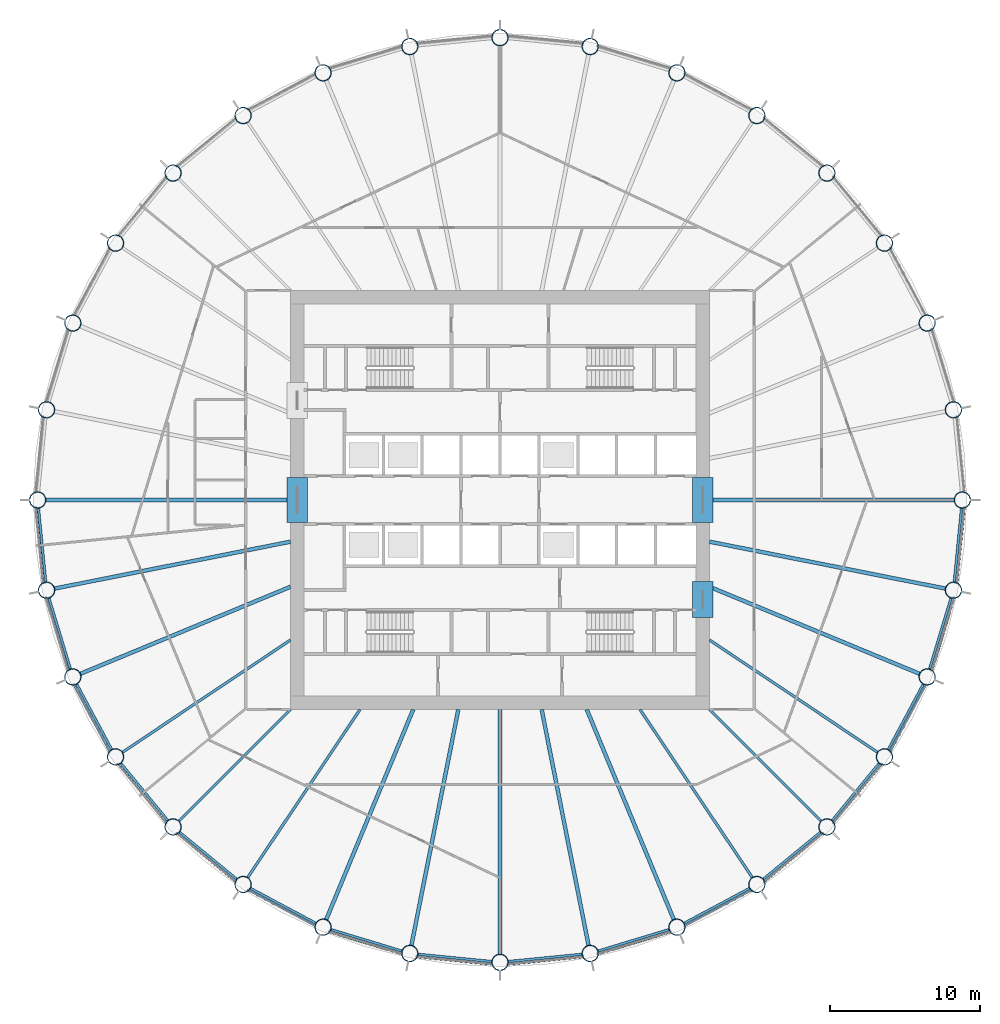
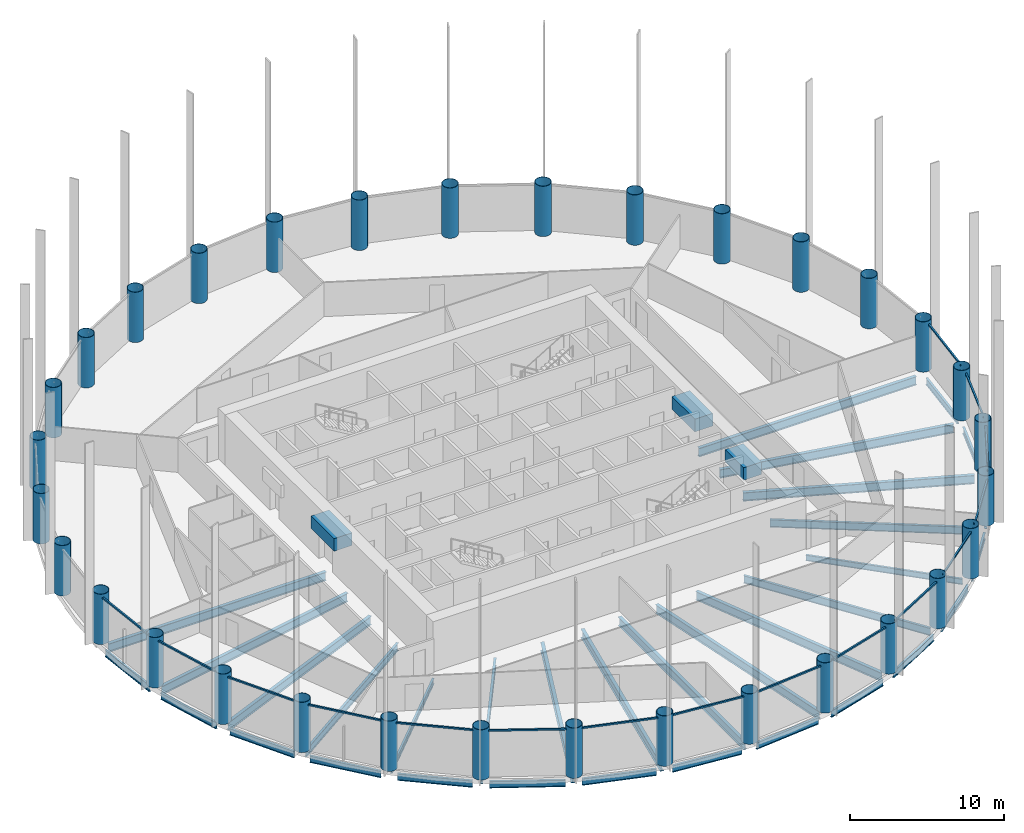
# One storey, part 1 of 10: 36 beams, 32 columns, 16 members, 16 elements without a shape of their own.
"""IFC4 building model written with IfcOpenShell, lengths in metres."""

import ifcopenshell
import ifcopenshell.guid

model = None  # the IFC model being written
_history = None  # IfcOwnerHistory: only IFC2X3 demands one
_inside = {}  # id of a spatial element -> (the spatial element, [elements in it])
_under = {}  # id of a project, library or spatial element -> (it, [spatial elements below it])
_declared = {}  # id of a project -> (the project, [libraries it declares])
_typed = {}  # id of a type object -> (the type object, [elements of that type])
_made_of = {}  # id of a material, layer set ... -> (it, [elements and type objects made of it])


def new_model(schema):
    """Start an empty IFC model of exactly this schema.

    Asked for "IFC4X3", IfcOpenShell would pick the latest addendum, in which some entities
    have other attributes; the version numbers below select the first issue.
    IFC2X3 requires an IfcOwnerHistory on every rooted entity: one is made here for all.
    """
    global model, _history
    if schema == "IFC4X3":
        model = ifcopenshell.file(schema_version=(4, 3, 0, 0))
    else:
        model = ifcopenshell.file(schema=schema)
    _inside.clear()
    _under.clear()
    _declared.clear()
    _typed.clear()
    _made_of.clear()
    _history = None
    if model.schema == "IFC2X3":
        org = make("IfcOrganization", Name="unknown")
        user = make(
            "IfcPersonAndOrganization",
            ThePerson=make("IfcPerson", FamilyName="unknown"),
            TheOrganization=org,
        )
        app = make(
            "IfcApplication",
            ApplicationDeveloper=org,
            Version="unknown",
            ApplicationFullName="unknown",
            ApplicationIdentifier="unknown",
        )
        _history = make(
            "IfcOwnerHistory",
            OwningUser=user,
            OwningApplication=app,
            ChangeAction="ADDED",
            CreationDate=0,
        )
    return model


def make(cls, **values):
    """One entity of the class cls with the attributes given. An attribute that is None is left unset."""
    return model.create_entity(
        cls, **{name: value for name, value in values.items() if value is not None}
    )


def rooted(cls, **values):
    """An entity with a GlobalId (a new one), such as an element, a storey or a relation."""
    return make(cls, GlobalId=ifcopenshell.guid.new(), OwnerHistory=_history, **values)


def si_unit(unit_type, name, prefix=None):
    """IfcSIUnit, for example si_unit("LENGTHUNIT", "METRE", prefix="MILLI")."""
    return make("IfcSIUnit", UnitType=unit_type, Prefix=prefix, Name=name)


def assignment(units):
    """IfcUnitAssignment: the units of a project."""
    return None if units is None else make("IfcUnitAssignment", Units=units)


def point(xyz):
    """IfcCartesianPoint."""
    return None if xyz is None else make("IfcCartesianPoint", Coordinates=xyz)


def direction(xyz):
    """IfcDirection."""
    return None if xyz is None else make("IfcDirection", DirectionRatios=xyz)


def frame(location, z_axis=None, x_axis=None):
    """IfcAxis2Placement3D, a coordinate frame: its origin and axes. An axis left out is left unset."""
    return make(
        "IfcAxis2Placement3D",
        Location=point(location),
        Axis=direction(z_axis),
        RefDirection=direction(x_axis),
    )


def frame_2d(location, x_axis=None):
    """IfcAxis2Placement2D, a coordinate frame in the plane: its origin and x axis."""
    return make(
        "IfcAxis2Placement2D", Location=point(location), RefDirection=direction(x_axis)
    )


def origin():
    """The frame at (0, 0, 0) with its axes left unset."""
    return frame((0.0, 0.0, 0.0))


def origin_2d():
    """The frame at (0, 0) in the plane with its x axis left unset."""
    return frame_2d((0.0, 0.0))


def place(relative_to, where):
    """IfcLocalPlacement: puts the frame where relative to a parent placement (None: the world)."""
    return make(
        "IfcLocalPlacement", PlacementRelTo=relative_to, RelativePlacement=where
    )


def context(
    kind, dimensions, precision=None, world=None, true_north=None, identifier=None
):
    """IfcGeometricRepresentationContext, for example the 3D "Model" context."""
    return make(
        "IfcGeometricRepresentationContext",
        ContextIdentifier=identifier,
        ContextType=kind,
        CoordinateSpaceDimension=dimensions,
        Precision=precision,
        WorldCoordinateSystem=world,
        TrueNorth=true_north,
    )


def subcontext(parent, identifier, kind, view, scale=None):
    """IfcGeometricRepresentationSubContext, for example "Body" below "Model"."""
    return make(
        "IfcGeometricRepresentationSubContext",
        ContextIdentifier=identifier,
        ContextType=kind,
        ParentContext=parent,
        TargetScale=scale,
        TargetView=view,
    )


def project(units=None, contexts=None):
    """IfcProject with its units and contexts."""
    return rooted(
        "IfcProject",
        Name="project",
        RepresentationContexts=contexts,
        UnitsInContext=assignment(units),
    )


def spatial(cls, under=None, at=None, **own):
    """A site, building, storey or space (cls), placed at a placement, below another one or the project."""
    s = rooted(cls, ObjectPlacement=at, **own)
    if under is not None:
        _under.setdefault(under.id(), (under, []))[1].append(s)
    return s


def profile(cls, at=None, kind="AREA", **sizes):
    """A parametric profile (cls). Its sizes go by their IFC names, for example OverallWidth=200.0."""
    return make(cls, ProfileType=kind, Position=at, **sizes)


def rectangle(**sizes):
    """IfcRectangleProfileDef."""
    return profile("IfcRectangleProfileDef", **sizes)


def hollow_circle(**sizes):
    """IfcCircleHollowProfileDef."""
    return profile("IfcCircleHollowProfileDef", **sizes)


def i_section(**sizes):
    """IfcIShapeProfileDef."""
    return profile("IfcIShapeProfileDef", **sizes)


def extrude(swept, where, along, depth):
    """IfcExtrudedAreaSolid: the profile swept, set in the frame where, extruded along a direction by depth."""
    return make(
        "IfcExtrudedAreaSolid",
        SweptArea=swept,
        Position=where,
        ExtrudedDirection=direction(along),
        Depth=depth,
    )


def shape(context_of_items, identifier, shape_type, items):
    """IfcShapeRepresentation: the items that make up one representation, for example the "Body"."""
    return make(
        "IfcShapeRepresentation",
        ContextOfItems=context_of_items,
        RepresentationIdentifier=identifier,
        RepresentationType=shape_type,
        Items=items,
    )


def material(Name=None, Category=None):
    """IfcMaterial."""
    return make("IfcMaterial", Name=Name, Category=Category)


def material_profile(
    of_material, cross_section, Name=None, Category=None, Priority=None
):
    """IfcMaterialProfile: a cross section and its material."""
    return make(
        "IfcMaterialProfile",
        Name=Name,
        Material=of_material,
        Profile=cross_section,
        Priority=Priority,
        Category=Category,
    )


def profile_set(profiles, Name=None, composite=None):
    """IfcMaterialProfileSet."""
    return make(
        "IfcMaterialProfileSet",
        Name=Name,
        MaterialProfiles=profiles,
        CompositeProfile=composite,
    )


def made_of(thing, what):
    """Note that an element or type object is made of a material, layer set ...; save() writes the relation."""
    if what is not None:
        _made_of.setdefault(what.id(), (what, []))[1].append(thing)
    return thing


def type_object(cls, material=None, **own):
    """A type object (cls), such as IfcWallType, which elements share."""
    return made_of(rooted(cls, **own), material)


def element(
    cls,
    number,
    at=None,
    inside=None,
    cuts=None,
    type_object=None,
    material=None,
    context=None,
    identifier="Body",
    shape_type=None,
    held_by="IfcProductDefinitionShape",
    body=None,
    shapes=None,
    **own,
):
    """One element of the class cls, such as IfcWall. Its Tag is "e" and its number.

    at: its placement. inside: the storey or other place that contains it. cuts: it is an
    opening in that element (IfcRelVoidsElement). A single representation is given by context,
    identifier, shape_type and body (its items); several are given by shapes. held_by: the class
    of the entity that holds the representations. save() writes the other relations.
    """
    e = rooted(cls, Tag="e%d" % number, ObjectPlacement=at, **own)
    if body is not None:
        shapes = [shape(context, identifier, shape_type, body)]
    if shapes is not None:
        e.Representation = make(held_by, Representations=shapes)
    if inside is not None:
        _inside.setdefault(inside.id(), (inside, []))[1].append(e)
    if cuts is not None:
        rooted(
            "IfcRelVoidsElement", RelatingBuildingElement=cuts, RelatedOpeningElement=e
        )
    if type_object is not None:
        _typed.setdefault(type_object.id(), (type_object, []))[1].append(e)
    return made_of(e, material)


def aggregate(whole, parts):
    """IfcRelAggregates: a whole, such as a stair, and the parts it consists of."""
    return rooted("IfcRelAggregates", RelatingObject=whole, RelatedObjects=parts)


def save(model, path):
    """Write the relations noted so far, then the file.

    IfcRelAggregates (storeys below a building ...), IfcRelContainedInSpatialStructure (elements
    in a storey), IfcRelDefinesByType, IfcRelAssociatesMaterial and IfcRelDeclares: one each for
    every whole, place, type object, material and project.
    """
    for whole, parts in _under.values():
        aggregate(whole, parts)
    for where, things in _inside.values():
        rooted(
            "IfcRelContainedInSpatialStructure",
            RelatedElements=things,
            RelatingStructure=where,
        )
    for kind, things in _typed.values():
        rooted("IfcRelDefinesByType", RelatedObjects=things, RelatingType=kind)
    for what, things in _made_of.values():
        rooted("IfcRelAssociatesMaterial", RelatedObjects=things, RelatingMaterial=what)
    for by, libraries in _declared.values():
        rooted("IfcRelDeclares", RelatingContext=by, RelatedDefinitions=libraries)
    model.write(path)


model = new_model("IFC4")

# Units and contexts
model_context = context("Model", 3, precision=1e-05, world=origin(), true_north=direction((0.0, 1.0)))
body_context = subcontext(model_context, "Body", "Model", "MODEL_VIEW")
ifc_project = project(units=[si_unit("LENGTHUNIT", "METRE"), si_unit("AREAUNIT", "SQUARE_METRE"), si_unit("VOLUMEUNIT", "CUBIC_METRE"), si_unit("PLANEANGLEUNIT", "RADIAN"), si_unit("MASSUNIT", "GRAM", prefix="KILO")], contexts=[model_context])

# Site, building, storey
site_placement = place(None, origin())
site = spatial("IfcSite", under=ifc_project, at=site_placement, CompositionType="ELEMENT")
building_placement = place(site_placement, origin())
building = spatial("IfcBuilding", under=site, at=building_placement, Name="Corvane Civic Tower", CompositionType="ELEMENT")
storey_placement = place(building_placement, frame((0.0, 0.0, 144.0)))
storey = spatial("IfcBuildingStorey", under=building, at=storey_placement, Name="L33", CompositionType="ELEMENT", Elevation=144.0)

# Columns
ifc_material_1 = material(Name="Steel ASTM A572 Gr 50", Category="steel")
ifc_material_profile_1 = material_profile(ifc_material_1, hollow_circle(Radius=0.550048828125, WallThickness=0.031982421875, at=origin_2d()), Name="CHS1100X32")
ifc_profile_set_1 = profile_set([ifc_material_profile_1], Name="Steel ASTM A572 Gr 50")
column_type = type_object("IfcColumnType", Name="COMPOSITE COLUMN CHS1100X32", PredefinedType="COLUMN", material=ifc_profile_set_1)
for number, where, z_axis, x_axis, name in (
    (1, (0.0, 30.89990234375, 0.0), (0.0, 0.0, 1.0), (1.0, 0.0, 0.0), "COL-L33-C01"),
    (2, (6.0283203125, 30.30615234375, 0.0), (0.0, 0.0, 1.0), (1.0, 0.0, 0.0), "COL-L33-C02"),
    (3, (11.824951171875, 28.5478515625, 0.0), (0.0, 0.0, 1.0), (1.0, 0.0, 0.0), "COL-L33-C03"),
    (4, (17.167236328125, 25.6923828125, 0.0), (0.0, 0.0, 1.0), (1.0, 0.0, 0.0), "COL-L33-C04"),
    (5, (21.849609375, 21.849609375, 0.0), (0.0, 0.0, 1.0), (1.0, 0.0, 0.0), "COL-L33-C05"),
    (6, (25.6923828125, 17.167236328125, 0.0), (0.0, 0.0, 1.0), (1.0, 0.0, 0.0), "COL-L33-C06"),
    (7, (28.5478515625, 11.824951171875, 0.0), (0.0, 0.0, 1.0), (1.0, 0.0, 0.0), "COL-L33-C07"),
    (8, (30.30615234375, 6.0283203125, 0.0), (0.0, 0.0, 1.0), (1.0, 0.0, 0.0), "COL-L33-C08"),
    (9, (30.89990234375, 0.0, 0.0), (0.0, 0.0, 1.0), (1.0, 0.0, 0.0), "COL-L33-C09"),
    (10, (30.30615234375, -6.0283203125, 0.0), (0.0, 0.0, 1.0), (1.0, 0.0, 0.0), "COL-L33-C10"),
    (11, (28.5478515625, -11.824951171875, 0.0), (0.0, 0.0, 1.0), (1.0, 0.0, 0.0), "COL-L33-C11"),
    (12, (25.6923828125, -17.167236328125, 0.0), (0.0, 0.0, 1.0), (1.0, 0.0, 0.0), "COL-L33-C12"),
    (13, (21.849609375, -21.849609375, 0.0), (0.0, 0.0, 1.0), (1.0, 0.0, 0.0), "COL-L33-C13"),
    (14, (17.167236328125, -25.6923828125, 0.0), (0.0, 0.0, 1.0), (1.0, 0.0, 0.0), "COL-L33-C14"),
    (15, (11.824951171875, -28.5478515625, 0.0), (0.0, 0.0, 1.0), (1.0, 0.0, 0.0), "COL-L33-C15"),
    (16, (6.0283203125, -30.30615234375, 0.0), (0.0, 0.0, 1.0), (1.0, 0.0, 0.0), "COL-L33-C16"),
    (17, (0.0, -30.89990234375, 0.0), (0.0, 0.0, 1.0), (1.0, 0.0, 0.0), "COL-L33-C17"),
    (18, (-6.0283203125, -30.30615234375, 0.0), (0.0, 0.0, 1.0), (1.0, 0.0, 0.0), "COL-L33-C18"),
    (19, (-11.824951171875, -28.5478515625, 0.0), (0.0, 0.0, 1.0), (1.0, 0.0, 0.0), "COL-L33-C19"),
    (20, (-17.167236328125, -25.6923828125, 0.0), (0.0, 0.0, 1.0), (1.0, 0.0, 0.0), "COL-L33-C20"),
    (21, (-21.849609375, -21.849609375, 0.0), (0.0, 0.0, 1.0), (1.0, 0.0, 0.0), "COL-L33-C21"),
    (22, (-25.6923828125, -17.167236328125, 0.0), (0.0, 0.0, 1.0), (1.0, 0.0, 0.0), "COL-L33-C22"),
    (23, (-28.5478515625, -11.824951171875, 0.0), (0.0, 0.0, 1.0), (1.0, 0.0, 0.0), "COL-L33-C23"),
    (24, (-30.30615234375, -6.0283203125, 0.0), (0.0, 0.0, 1.0), (1.0, 0.0, 0.0), "COL-L33-C24"),
    (25, (-30.89990234375, 0.0, 0.0), (0.0, 0.0, 1.0), (1.0, 0.0, 0.0), "COL-L33-C25"),
    (26, (-30.30615234375, 6.0283203125, 0.0), (0.0, 0.0, 1.0), (1.0, 0.0, 0.0), "COL-L33-C26"),
    (27, (-28.5478515625, 11.824951171875, 0.0), (0.0, 0.0, 1.0), (1.0, 0.0, 0.0), "COL-L33-C27"),
    (28, (-25.6923828125, 17.167236328125, 0.0), (0.0, 0.0, 1.0), (1.0, 0.0, 0.0), "COL-L33-C28"),
    (29, (-21.849609375, 21.849609375, 0.0), (0.0, 0.0, 1.0), (1.0, 0.0, 0.0), "COL-L33-C29"),
    (30, (-17.167236328125, 25.6923828125, 0.0), (0.0, 0.0, 1.0), (1.0, 0.0, 0.0), "COL-L33-C30"),
    (31, (-11.824951171875, 28.5478515625, 0.0), (0.0, 0.0, 1.0), (1.0, 0.0, 0.0), "COL-L33-C31"),
    (32, (-6.0283203125, 30.30615234375, 0.0), (0.0, 0.0, 1.0), (1.0, 0.0, 0.0), "COL-L33-C32"),
):
    element("IfcColumn", number, at=place(storey_placement, frame(where, z_axis=z_axis, x_axis=x_axis)), inside=storey, type_object=column_type, Name=name, PredefinedType="COLUMN", context=body_context, shape_type="SweptSolid", body=[
        extrude(hollow_circle(Radius=0.550048828125, WallThickness=0.031982421875, at=origin_2d()), origin(), (0.0, 0.0, 1.0), 4.0),
    ])

# Beams
ifc_material_2 = material(Name="Concrete C60/75", Category="concrete")
ifc_material_profile_2 = material_profile(ifc_material_2, rectangle(XDim=1.35009765625, YDim=1.0, at=origin_2d()), Name="COUPLING BEAM 1350X1000")
ifc_profile_set_2 = profile_set([ifc_material_profile_2], Name="Concrete C60/75")
beam_type_1 = type_object("IfcBeamType", Name="COUPLING BEAM COUPLING BEAM 1350X1000", PredefinedType="BEAM", material=ifc_profile_set_2)
for number, where, z_axis, x_axis, name in (
    (33, (-13.550048828125, -1.5, 2.60009765625), (0.0, 1.0, 0.0), (-1.0, 0.0, 0.0), "BM-L33-cpl-CW-LW"),
    (34, (13.550048828125, -1.5, 2.60009765625), (0.0, 1.0, 0.0), (-1.0, 0.0, 0.0), "BM-L33-cpl-CW-LE"),
):
    element("IfcBeam", number, at=place(storey_placement, frame(where, z_axis=z_axis, x_axis=x_axis)), inside=storey, type_object=beam_type_1, Name=name, PredefinedType="BEAM", context=body_context, shape_type="SweptSolid", body=[
        extrude(rectangle(XDim=1.35009765625, YDim=1.0, at=origin_2d()), origin(), (0.0, 0.0, 1.0), 3.0),
    ])
beam_1_placement = place(storey_placement, frame((13.550048828125, -7.85009765625, 2.60009765625), z_axis=(0.0, 1.0, 0.0), x_axis=(-1.0, 0.0, 0.0)))
element("IfcBeam", 35, at=beam_1_placement, inside=storey, type_object=beam_type_1, Name="BM-L33-cpl-CW-ES", PredefinedType="BEAM", context=body_context, shape_type="SweptSolid", body=[
    extrude(rectangle(XDim=1.35009765625, YDim=1.0, at=origin_2d()), origin(), (0.0, 0.0, 1.0), 2.400146484375),
])
ifc_material_3 = material(Name="Steel ASTM A992 Gr 50", Category="steel")
ifc_material_profile_3 = material_profile(ifc_material_3, i_section(OverallWidth=0.165771484375, OverallDepth=0.5283203125, WebThickness=0.009765625, FlangeThickness=0.013671875, at=origin_2d()), Name="W21X50")
ifc_profile_set_3 = profile_set([ifc_material_profile_3], Name="Steel ASTM A992 Gr 50")
beam_type_2 = type_object("IfcBeamType", Name="EDGE BEAM W21X50", PredefinedType="BEAM", material=ifc_profile_set_3)
beam_2_placement = place(storey_placement, frame((30.845947265625, -0.54736328125, -0.714111328125), z_axis=(-0.09800181167, -0.995186236294, 0.0), x_axis=(0.995186236294, -0.09800181167, 0.0)))
element("IfcBeam", 36, at=beam_2_placement, inside=storey, type_object=beam_type_2, Name="BM-L33-E09", PredefinedType="BEAM", context=body_context, shape_type="SweptSolid", body=[
    extrude(i_section(OverallWidth=0.165771484375, OverallDepth=0.5283203125, WebThickness=0.009765625, FlangeThickness=0.013671875, at=origin_2d()), origin(), (0.0, 0.0, 1.0), 4.95751953125),
])
beam_3_placement = place(storey_placement, frame((30.146484375, -6.5546875, -0.714111328125), z_axis=(-0.290269821381, -0.956944842086, 0.0), x_axis=(0.956944842086, -0.290269821381, 0.0)))
element("IfcBeam", 37, at=beam_3_placement, inside=storey, type_object=beam_type_2, Name="BM-L33-E10", PredefinedType="BEAM", context=body_context, shape_type="SweptSolid", body=[
    extrude(i_section(OverallWidth=0.165771484375, OverallDepth=0.5283203125, WebThickness=0.009765625, FlangeThickness=0.013671875, at=origin_2d()), origin(), (0.0, 0.0, 1.0), 4.957275390625),
])
for number, where, z_axis, x_axis, name in (
    (38, (28.28857421875, -12.31005859375, -0.714111328125), (-0.471395763042, -0.881921784846, 0.0), (0.881921784846, -0.471395763042, 0.0), "BM-L33-E11"),
    (39, (25.343505859375, -17.59228515625, -0.714111328125), (-0.634387546532, -0.77301516208, 0.0), (0.77301516208, -0.634387546532, 0.0), "BM-L33-E12"),
    (40, (21.424560546875, -22.198486328125, -0.714111328125), (-0.77301516208, -0.634387546532, 0.0), (0.634387546532, -0.77301516208, 0.0), "BM-L33-E13"),
    (41, (16.68212890625, -25.95166015625, -0.714111328125), (-0.881921784846, -0.471395763042, 0.0), (0.471395763042, -0.881921784846, 0.0), "BM-L33-E14"),
):
    element("IfcBeam", number, at=place(storey_placement, frame(where, z_axis=z_axis, x_axis=x_axis)), inside=storey, type_object=beam_type_2, Name=name, PredefinedType="BEAM", context=body_context, shape_type="SweptSolid", body=[
        extrude(i_section(OverallWidth=0.165771484375, OverallDepth=0.5283203125, WebThickness=0.009765625, FlangeThickness=0.013671875, at=origin_2d()), origin(), (0.0, 0.0, 1.0), 4.95751953125),
    ])
beam_4_placement = place(storey_placement, frame((11.298583984375, -28.70751953125, -0.714111328125), z_axis=(-0.956944842086, -0.290269821381, 0.0), x_axis=(0.290269821381, -0.956944842086, 0.0)))
element("IfcBeam", 42, at=beam_4_placement, inside=storey, type_object=beam_type_2, Name="BM-L33-E15", PredefinedType="BEAM", context=body_context, shape_type="SweptSolid", body=[
    extrude(i_section(OverallWidth=0.165771484375, OverallDepth=0.5283203125, WebThickness=0.009765625, FlangeThickness=0.013671875, at=origin_2d()), origin(), (0.0, 0.0, 1.0), 4.957275390625),
])
for number, where, z_axis, x_axis, name in (
    (43, (5.48095703125, -30.360107421875, -0.714111328125), (-0.995186236294, -0.09800181167, 0.0), (0.09800181167, -0.995186236294, 0.0), "BM-L33-E16"),
    (44, (-0.54736328125, -30.845947265625, -0.714111328125), (-0.995186236294, 0.09800181167, 0.0), (-0.09800181167, -0.995186236294, 0.0), "BM-L33-E17"),
):
    element("IfcBeam", number, at=place(storey_placement, frame(where, z_axis=z_axis, x_axis=x_axis)), inside=storey, type_object=beam_type_2, Name=name, PredefinedType="BEAM", context=body_context, shape_type="SweptSolid", body=[
        extrude(i_section(OverallWidth=0.165771484375, OverallDepth=0.5283203125, WebThickness=0.009765625, FlangeThickness=0.013671875, at=origin_2d()), origin(), (0.0, 0.0, 1.0), 4.95751953125),
    ])
beam_5_placement = place(storey_placement, frame((-6.5546875, -30.146484375, -0.714111328125), z_axis=(-0.956944842086, 0.290269821381, 0.0), x_axis=(-0.290269821381, -0.956944842086, 0.0)))
element("IfcBeam", 45, at=beam_5_placement, inside=storey, type_object=beam_type_2, Name="BM-L33-E18", PredefinedType="BEAM", context=body_context, shape_type="SweptSolid", body=[
    extrude(i_section(OverallWidth=0.165771484375, OverallDepth=0.5283203125, WebThickness=0.009765625, FlangeThickness=0.013671875, at=origin_2d()), origin(), (0.0, 0.0, 1.0), 4.957275390625),
])
for number, where, z_axis, x_axis, name in (
    (46, (-12.31005859375, -28.28857421875, -0.714111328125), (-0.881921784846, 0.471395763042, 0.0), (-0.471395763042, -0.881921784846, 0.0), "BM-L33-E19"),
    (47, (-17.59228515625, -25.343505859375, -0.714111328125), (-0.77301516208, 0.634387546532, 0.0), (-0.634387546532, -0.77301516208, 0.0), "BM-L33-E20"),
    (48, (-22.198486328125, -21.424560546875, -0.714111328125), (-0.634387546532, 0.77301516208, 0.0), (-0.77301516208, -0.634387546532, 0.0), "BM-L33-E21"),
    (49, (-25.95166015625, -16.68212890625, -0.714111328125), (-0.471395763042, 0.881921784846, 0.0), (-0.881921784846, -0.471395763042, 0.0), "BM-L33-E22"),
):
    element("IfcBeam", number, at=place(storey_placement, frame(where, z_axis=z_axis, x_axis=x_axis)), inside=storey, type_object=beam_type_2, Name=name, PredefinedType="BEAM", context=body_context, shape_type="SweptSolid", body=[
        extrude(i_section(OverallWidth=0.165771484375, OverallDepth=0.5283203125, WebThickness=0.009765625, FlangeThickness=0.013671875, at=origin_2d()), origin(), (0.0, 0.0, 1.0), 4.95751953125),
    ])
beam_6_placement = place(storey_placement, frame((-28.70751953125, -11.298583984375, -0.714111328125), z_axis=(-0.290269821381, 0.956944842086, 0.0), x_axis=(-0.956944842086, -0.290269821381, 0.0)))
element("IfcBeam", 50, at=beam_6_placement, inside=storey, type_object=beam_type_2, Name="BM-L33-E23", PredefinedType="BEAM", context=body_context, shape_type="SweptSolid", body=[
    extrude(i_section(OverallWidth=0.165771484375, OverallDepth=0.5283203125, WebThickness=0.009765625, FlangeThickness=0.013671875, at=origin_2d()), origin(), (0.0, 0.0, 1.0), 4.957275390625),
])
beam_7_placement = place(storey_placement, frame((-30.360107421875, -5.48095703125, -0.714111328125), z_axis=(-0.09800181167, 0.995186236294, 0.0), x_axis=(-0.995186236294, -0.09800181167, 0.0)))
element("IfcBeam", 51, at=beam_7_placement, inside=storey, type_object=beam_type_2, Name="BM-L33-E24", PredefinedType="BEAM", context=body_context, shape_type="SweptSolid", body=[
    extrude(i_section(OverallWidth=0.165771484375, OverallDepth=0.5283203125, WebThickness=0.009765625, FlangeThickness=0.013671875, at=origin_2d()), origin(), (0.0, 0.0, 1.0), 4.95751953125),
])
ifc_material_4 = material(Name="Steel ASTM A992 Gr 50", Category="steel")
ifc_material_profile_4 = material_profile(ifc_material_4, i_section(OverallWidth=0.15283203125, OverallDepth=0.45458984375, WebThickness=0.008056640625, FlangeThickness=0.013427734375, at=origin_2d()), Name="W18X40")
ifc_profile_set_4 = profile_set([ifc_material_profile_4], Name="Steel ASTM A992 Gr 50")
beam_type_3 = type_object("IfcBeamType", Name="FLOOR GIRDER W18X40", PredefinedType="BEAM", material=ifc_profile_set_4)
for number, where, z_axis, x_axis, name in (
    (52, (14.0, -14.0, -0.67724609375), (0.707106781187, -0.707106781187, 0.0), (0.707106781187, 0.707106781187, 0.0), "BM-L33-G13"),
    (53, (-14.0, -14.0, -0.67724609375), (-0.707106781187, -0.707106781187, 0.0), (0.707106781187, -0.707106781187, 0.0), "BM-L33-G21"),
):
    element("IfcBeam", number, at=place(storey_placement, frame(where, z_axis=z_axis, x_axis=x_axis)), inside=storey, type_object=beam_type_3, Name=name, PredefinedType="BEAM", context=body_context, shape_type="SweptSolid", body=[
        extrude(i_section(OverallWidth=0.15283203125, OverallDepth=0.45458984375, WebThickness=0.008056640625, FlangeThickness=0.013427734375, at=origin_2d()), origin(), (0.0, 0.0, 1.0), 10.551025390625),
    ])
ifc_material_5 = material(Name="Steel ASTM A992 Gr 50", Category="steel")
ifc_material_profile_5 = material_profile(ifc_material_5, i_section(OverallWidth=0.177978515625, OverallDepth=0.599365234375, WebThickness=0.010009765625, FlangeThickness=0.012939453125, at=origin_2d()), Name="W24X55")
ifc_profile_set_5 = profile_set([ifc_material_profile_5], Name="Steel ASTM A992 Gr 50")
beam_type_4 = type_object("IfcBeamType", Name="FLOOR GIRDER W24X55", PredefinedType="BEAM", material=ifc_profile_set_5)
for number, where, z_axis, x_axis, name in (
    (54, (14.0, -9.3544921875, -0.749755859375), (0.83146888399, -0.555571323015, 0.0), (0.555571323015, 0.83146888399, 0.0), "BM-L33-G12"),
    (55, (9.3544921875, -14.0, -0.749755859375), (0.555571323015, -0.83146888399, 0.0), (0.83146888399, 0.555571323015, 0.0), "BM-L33-G14"),
    (56, (-9.3544921875, -14.0, -0.749755859375), (-0.555571323015, -0.83146888399, 0.0), (0.83146888399, -0.555571323015, 0.0), "BM-L33-G20"),
    (57, (-14.0, -9.3544921875, -0.749755859375), (-0.83146888399, -0.555571323015, 0.0), (0.555571323015, -0.83146888399, 0.0), "BM-L33-G22"),
):
    element("IfcBeam", number, at=place(storey_placement, frame(where, z_axis=z_axis, x_axis=x_axis)), inside=storey, type_object=beam_type_4, Name=name, PredefinedType="BEAM", context=body_context, shape_type="SweptSolid", body=[
        extrude(i_section(OverallWidth=0.177978515625, OverallDepth=0.599365234375, WebThickness=0.010009765625, FlangeThickness=0.012939453125, at=origin_2d()), origin(), (0.0, 0.0, 1.0), 13.512451171875),
    ])
ifc_material_6 = material(Name="Steel ASTM A992 Gr 50", Category="steel")
ifc_material_profile_6 = material_profile(ifc_material_6, i_section(OverallWidth=0.25390625, OverallDepth=0.67822265625, WebThickness=0.01171875, FlangeThickness=0.016357421875, at=origin_2d()), Name="W27X84")
ifc_profile_set_6 = profile_set([ifc_material_profile_6], Name="Steel ASTM A992 Gr 50")
beam_type_5 = type_object("IfcBeamType", Name="FLOOR GIRDER W27X84", PredefinedType="BEAM", material=ifc_profile_set_6)
beam_8_placement = place(storey_placement, frame((14.0, 0.0, -0.7890625), z_axis=(1.0, 0.0, 0.0), x_axis=(0.0, 1.0, 0.0)))
element("IfcBeam", 58, at=beam_8_placement, inside=storey, type_object=beam_type_5, Name="BM-L33-G09", PredefinedType="BEAM", context=body_context, shape_type="SweptSolid", body=[
    extrude(i_section(OverallWidth=0.25390625, OverallDepth=0.67822265625, WebThickness=0.01171875, FlangeThickness=0.016357421875, at=origin_2d()), origin(), (0.0, 0.0, 1.0), 16.35009765625),
])
beam_9_placement = place(storey_placement, frame((14.0, -2.78466796875, -0.7890625), z_axis=(0.980785162999, -0.195090912248, 0.0), x_axis=(0.195090912248, 0.980785162999, 0.0)))
element("IfcBeam", 59, at=beam_9_placement, inside=storey, type_object=beam_type_5, Name="BM-L33-G10", PredefinedType="BEAM", context=body_context, shape_type="SweptSolid", body=[
    extrude(i_section(OverallWidth=0.25390625, OverallDepth=0.67822265625, WebThickness=0.01171875, FlangeThickness=0.016357421875, at=origin_2d()), origin(), (0.0, 0.0, 1.0), 16.07568359375),
])
for number, where, z_axis, x_axis, name in (
    (60, (14.0, -5.799072265625, -0.7890625), (0.923880551114, -0.38268097323, 0.0), (0.38268097323, 0.923880551114, 0.0), "BM-L33-G11"),
    (61, (5.799072265625, -14.0, -0.7890625), (0.38268097323, -0.923880551114, 0.0), (0.923880551114, 0.38268097323, 0.0), "BM-L33-G15"),
):
    element("IfcBeam", number, at=place(storey_placement, frame(where, z_axis=z_axis, x_axis=x_axis)), inside=storey, type_object=beam_type_5, Name=name, PredefinedType="BEAM", context=body_context, shape_type="SweptSolid", body=[
        extrude(i_section(OverallWidth=0.25390625, OverallDepth=0.67822265625, WebThickness=0.01171875, FlangeThickness=0.016357421875, at=origin_2d()), origin(), (0.0, 0.0, 1.0), 15.196533203125),
    ])
beam_10_placement = place(storey_placement, frame((2.78466796875, -14.0, -0.7890625), z_axis=(0.195090912248, -0.980785162999, 0.0), x_axis=(0.980785162999, 0.195090912248, 0.0)))
element("IfcBeam", 62, at=beam_10_placement, inside=storey, type_object=beam_type_5, Name="BM-L33-G16", PredefinedType="BEAM", context=body_context, shape_type="SweptSolid", body=[
    extrude(i_section(OverallWidth=0.25390625, OverallDepth=0.67822265625, WebThickness=0.01171875, FlangeThickness=0.016357421875, at=origin_2d()), origin(), (0.0, 0.0, 1.0), 16.07568359375),
])
beam_11_placement = place(storey_placement, frame((0.0, -14.0, -0.7890625), z_axis=(0.0, -1.0, 0.0), x_axis=(1.0, 0.0, 0.0)))
element("IfcBeam", 63, at=beam_11_placement, inside=storey, type_object=beam_type_5, Name="BM-L33-G17", PredefinedType="BEAM", context=body_context, shape_type="SweptSolid", body=[
    extrude(i_section(OverallWidth=0.25390625, OverallDepth=0.67822265625, WebThickness=0.01171875, FlangeThickness=0.016357421875, at=origin_2d()), origin(), (0.0, 0.0, 1.0), 16.35009765625),
])
beam_12_placement = place(storey_placement, frame((-2.78466796875, -14.0, -0.7890625), z_axis=(-0.195090912248, -0.980785162999, 0.0), x_axis=(0.980785162999, -0.195090912248, 0.0)))
element("IfcBeam", 64, at=beam_12_placement, inside=storey, type_object=beam_type_5, Name="BM-L33-G18", PredefinedType="BEAM", context=body_context, shape_type="SweptSolid", body=[
    extrude(i_section(OverallWidth=0.25390625, OverallDepth=0.67822265625, WebThickness=0.01171875, FlangeThickness=0.016357421875, at=origin_2d()), origin(), (0.0, 0.0, 1.0), 16.07568359375),
])
for number, where, z_axis, x_axis, name in (
    (65, (-5.799072265625, -14.0, -0.7890625), (-0.38268097323, -0.923880551114, 0.0), (0.923880551114, -0.38268097323, 0.0), "BM-L33-G19"),
    (66, (-14.0, -5.799072265625, -0.7890625), (-0.923880551114, -0.38268097323, 0.0), (0.38268097323, -0.923880551114, 0.0), "BM-L33-G23"),
):
    element("IfcBeam", number, at=place(storey_placement, frame(where, z_axis=z_axis, x_axis=x_axis)), inside=storey, type_object=beam_type_5, Name=name, PredefinedType="BEAM", context=body_context, shape_type="SweptSolid", body=[
        extrude(i_section(OverallWidth=0.25390625, OverallDepth=0.67822265625, WebThickness=0.01171875, FlangeThickness=0.016357421875, at=origin_2d()), origin(), (0.0, 0.0, 1.0), 15.196533203125),
    ])
beam_13_placement = place(storey_placement, frame((-14.0, -2.78466796875, -0.7890625), z_axis=(-0.980785162999, -0.195090912248, 0.0), x_axis=(0.195090912248, -0.980785162999, 0.0)))
element("IfcBeam", 67, at=beam_13_placement, inside=storey, type_object=beam_type_5, Name="BM-L33-G24", PredefinedType="BEAM", context=body_context, shape_type="SweptSolid", body=[
    extrude(i_section(OverallWidth=0.25390625, OverallDepth=0.67822265625, WebThickness=0.01171875, FlangeThickness=0.016357421875, at=origin_2d()), origin(), (0.0, 0.0, 1.0), 16.07568359375),
])
beam_14_placement = place(storey_placement, frame((-14.0, 0.0, -0.7890625), z_axis=(-1.0, 0.0, 0.0), x_axis=(0.0, -1.0, 0.0)))
element("IfcBeam", 68, at=beam_14_placement, inside=storey, type_object=beam_type_5, Name="BM-L33-G25", PredefinedType="BEAM", context=body_context, shape_type="SweptSolid", body=[
    extrude(i_section(OverallWidth=0.25390625, OverallDepth=0.67822265625, WebThickness=0.01171875, FlangeThickness=0.016357421875, at=origin_2d()), origin(), (0.0, 0.0, 1.0), 16.35009765625),
])

# Curtain wall, member
ifc_material_7 = material(Name="Anodised aluminium bronze", Category="aluminium")
curtain_wall_type = type_object("IfcCurtainWallType", Name="TOWER CW-T2 STICK CURTAIN WALL", PredefinedType="NOTDEFINED", material=ifc_material_7)
curtain_wall_1_placement = place(storey_placement, origin())
curtain_wall_1 = element("IfcCurtainWall", 69, at=curtain_wall_1_placement, inside=storey, type_object=curtain_wall_type, Name="Curtain wall CW-T2 L33 bay 09", PredefinedType="NOTDEFINED")
ifc_material_8 = material(Name="Anodised aluminium bronze", Category="aluminium")
ifc_material_profile_7 = material_profile(ifc_material_8, rectangle(XDim=0.1201171875, YDim=0.1201171875, at=origin_2d()), Name="TOWER CW-T2 TRANSOM 120x120")
ifc_profile_set_7 = profile_set([ifc_material_profile_7], Name="Anodised aluminium bronze")
member_type = type_object("IfcMemberType", Name="TOWER CW-T2 TRANSOM 120x120", PredefinedType="USERDEFINED", material=ifc_profile_set_7)
member_1_placement = place(storey_placement, frame((31.0302734375, -0.505126953125, 3.68994140625), z_axis=(-0.097989755963, -0.995187423416, 0.0), x_axis=(0.995187423416, -0.097989755963, 0.0)))
member_1 = element("IfcMember", 70, at=member_1_placement, type_object=member_type, Name="Transom CW-T2 L33 09.1", ObjectType="TRANSOM", PredefinedType="USERDEFINED", context=body_context, shape_type="SweptSolid", body=[
    extrude(rectangle(XDim=0.1201171875, YDim=0.1201171875, at=origin_2d()), origin(), (0.0, 0.0, 1.0), 5.07763671875),
])
aggregate(curtain_wall_1, [member_1])

curtain_wall_2_placement = place(storey_placement, origin())
curtain_wall_2 = element("IfcCurtainWall", 71, at=curtain_wall_2_placement, inside=storey, type_object=curtain_wall_type, Name="Curtain wall CW-T2 L33 bay 10", PredefinedType="NOTDEFINED")
member_2_placement = place(storey_placement, frame((30.33544921875, -6.54931640625, 3.68994140625), z_axis=(-0.290288977061, -0.956939031389, 0.0), x_axis=(0.956939031389, -0.290288977061, 0.0)))
member_2 = element("IfcMember", 72, at=member_2_placement, type_object=member_type, Name="Transom CW-T2 L33 10.1", ObjectType="TRANSOM", PredefinedType="USERDEFINED", context=body_context, shape_type="SweptSolid", body=[
    extrude(rectangle(XDim=0.1201171875, YDim=0.1201171875, at=origin_2d()), origin(), (0.0, 0.0, 1.0), 5.077392578125),
])
aggregate(curtain_wall_2, [member_2])

curtain_wall_3_placement = place(storey_placement, origin())
curtain_wall_3 = element("IfcCurtainWall", 73, at=curtain_wall_3_placement, inside=storey, type_object=curtain_wall_type, Name="Curtain wall CW-T2 L33 bay 11", PredefinedType="NOTDEFINED")
member_3_placement = place(storey_placement, frame((28.474853515625, -12.341552734375, 3.68994140625), z_axis=(-0.471396615074, -0.881921329426, 0.0), x_axis=(0.881921329426, -0.471396615074, 0.0)))
member_3 = element("IfcMember", 74, at=member_3_placement, type_object=member_type, Name="Transom CW-T2 L33 11.1", ObjectType="TRANSOM", PredefinedType="USERDEFINED", context=body_context, shape_type="SweptSolid", body=[
    extrude(rectangle(XDim=0.1201171875, YDim=0.1201171875, at=origin_2d()), origin(), (0.0, 0.0, 1.0), 5.07763671875),
])
aggregate(curtain_wall_3, [member_3])

curtain_wall_4_placement = place(storey_placement, origin())
curtain_wall_4 = element("IfcCurtainWall", 75, at=curtain_wall_4_placement, inside=storey, type_object=curtain_wall_type, Name="Curtain wall CW-T2 L33 bay 12", PredefinedType="NOTDEFINED")
member_4_placement = place(storey_placement, frame((25.519775390625, -17.65966796875, 3.68994140625), z_axis=(-0.634386611146, -0.773015929719, 0.0), x_axis=(0.773015929719, -0.634386611146, 0.0)))
member_4 = element("IfcMember", 76, at=member_4_placement, type_object=member_type, Name="Transom CW-T2 L33 12.1", ObjectType="TRANSOM", PredefinedType="USERDEFINED", context=body_context, shape_type="SweptSolid", body=[
    extrude(rectangle(XDim=0.1201171875, YDim=0.1201171875, at=origin_2d()), origin(), (0.0, 0.0, 1.0), 5.0771484375),
])
aggregate(curtain_wall_4, [member_4])

curtain_wall_5_placement = place(storey_placement, origin())
curtain_wall_5 = element("IfcCurtainWall", 77, at=curtain_wall_5_placement, inside=storey, type_object=curtain_wall_type, Name="Curtain wall CW-T2 L33 bay 13", PredefinedType="NOTDEFINED")
member_5_placement = place(storey_placement, frame((21.58447265625, -22.298828125, 3.68994140625), z_axis=(-0.773015929719, -0.634386611146, 0.0), x_axis=(0.634386611146, -0.773015929719, 0.0)))
member_5 = element("IfcMember", 78, at=member_5_placement, type_object=member_type, Name="Transom CW-T2 L33 13.1", ObjectType="TRANSOM", PredefinedType="USERDEFINED", context=body_context, shape_type="SweptSolid", body=[
    extrude(rectangle(XDim=0.1201171875, YDim=0.1201171875, at=origin_2d()), origin(), (0.0, 0.0, 1.0), 5.0771484375),
])
aggregate(curtain_wall_5, [member_5])

curtain_wall_6_placement = place(storey_placement, origin())
curtain_wall_6 = element("IfcCurtainWall", 79, at=curtain_wall_6_placement, inside=storey, type_object=curtain_wall_type, Name="Curtain wall CW-T2 L33 bay 14", PredefinedType="NOTDEFINED")
member_6_placement = place(storey_placement, frame((16.819580078125, -26.081298828125, 3.68994140625), z_axis=(-0.881921329426, -0.471396615074, 0.0), x_axis=(0.471396615074, -0.881921329426, 0.0)))
member_6 = element("IfcMember", 80, at=member_6_placement, type_object=member_type, Name="Transom CW-T2 L33 14.1", ObjectType="TRANSOM", PredefinedType="USERDEFINED", context=body_context, shape_type="SweptSolid", body=[
    extrude(rectangle(XDim=0.1201171875, YDim=0.1201171875, at=origin_2d()), origin(), (0.0, 0.0, 1.0), 5.07763671875),
])
aggregate(curtain_wall_6, [member_6])

curtain_wall_7_placement = place(storey_placement, origin())
curtain_wall_7 = element("IfcCurtainWall", 81, at=curtain_wall_7_placement, inside=storey, type_object=curtain_wall_type, Name="Curtain wall CW-T2 L33 bay 15", PredefinedType="NOTDEFINED")
member_7_placement = place(storey_placement, frame((11.407958984375, -28.861572265625, 3.68994140625), z_axis=(-0.956939031389, -0.290288977061, 0.0), x_axis=(0.290288977061, -0.956939031389, 0.0)))
member_7 = element("IfcMember", 82, at=member_7_placement, type_object=member_type, Name="Transom CW-T2 L33 15.1", ObjectType="TRANSOM", PredefinedType="USERDEFINED", context=body_context, shape_type="SweptSolid", body=[
    extrude(rectangle(XDim=0.1201171875, YDim=0.1201171875, at=origin_2d()), origin(), (0.0, 0.0, 1.0), 5.077392578125),
])
aggregate(curtain_wall_7, [member_7])

curtain_wall_8_placement = place(storey_placement, origin())
curtain_wall_8 = element("IfcCurtainWall", 83, at=curtain_wall_8_placement, inside=storey, type_object=curtain_wall_type, Name="Curtain wall CW-T2 L33 bay 16", PredefinedType="NOTDEFINED")
member_8_placement = place(storey_placement, frame((5.558349609375, -30.53271484375, 3.68994140625), z_axis=(-0.995187423416, -0.097989755963, 0.0), x_axis=(0.097989755963, -0.995187423416, 0.0)))
member_8 = element("IfcMember", 84, at=member_8_placement, type_object=member_type, Name="Transom CW-T2 L33 16.1", ObjectType="TRANSOM", PredefinedType="USERDEFINED", context=body_context, shape_type="SweptSolid", body=[
    extrude(rectangle(XDim=0.1201171875, YDim=0.1201171875, at=origin_2d()), origin(), (0.0, 0.0, 1.0), 5.07763671875),
])
aggregate(curtain_wall_8, [member_8])

curtain_wall_9_placement = place(storey_placement, origin())
curtain_wall_9 = element("IfcCurtainWall", 85, at=curtain_wall_9_placement, inside=storey, type_object=curtain_wall_type, Name="Curtain wall CW-T2 L33 bay 17", PredefinedType="NOTDEFINED")
member_9_placement = place(storey_placement, frame((-0.505126953125, -31.0302734375, 3.68994140625), z_axis=(-0.995187423416, 0.097989755963, 0.0), x_axis=(-0.097989755963, -0.995187423416, 0.0)))
member_9 = element("IfcMember", 86, at=member_9_placement, type_object=member_type, Name="Transom CW-T2 L33 17.1", ObjectType="TRANSOM", PredefinedType="USERDEFINED", context=body_context, shape_type="SweptSolid", body=[
    extrude(rectangle(XDim=0.1201171875, YDim=0.1201171875, at=origin_2d()), origin(), (0.0, 0.0, 1.0), 5.07763671875),
])
aggregate(curtain_wall_9, [member_9])

curtain_wall_10_placement = place(storey_placement, origin())
curtain_wall_10 = element("IfcCurtainWall", 87, at=curtain_wall_10_placement, inside=storey, type_object=curtain_wall_type, Name="Curtain wall CW-T2 L33 bay 18", PredefinedType="NOTDEFINED")
member_10_placement = place(storey_placement, frame((-6.54931640625, -30.33544921875, 3.68994140625), z_axis=(-0.956939031389, 0.290288977061, 0.0), x_axis=(-0.290288977061, -0.956939031389, 0.0)))
member_10 = element("IfcMember", 88, at=member_10_placement, type_object=member_type, Name="Transom CW-T2 L33 18.1", ObjectType="TRANSOM", PredefinedType="USERDEFINED", context=body_context, shape_type="SweptSolid", body=[
    extrude(rectangle(XDim=0.1201171875, YDim=0.1201171875, at=origin_2d()), origin(), (0.0, 0.0, 1.0), 5.077392578125),
])
aggregate(curtain_wall_10, [member_10])

curtain_wall_11_placement = place(storey_placement, origin())
curtain_wall_11 = element("IfcCurtainWall", 89, at=curtain_wall_11_placement, inside=storey, type_object=curtain_wall_type, Name="Curtain wall CW-T2 L33 bay 19", PredefinedType="NOTDEFINED")
member_11_placement = place(storey_placement, frame((-12.341552734375, -28.474853515625, 3.68994140625), z_axis=(-0.881921329426, 0.471396615074, 0.0), x_axis=(-0.471396615074, -0.881921329426, 0.0)))
member_11 = element("IfcMember", 90, at=member_11_placement, type_object=member_type, Name="Transom CW-T2 L33 19.1", ObjectType="TRANSOM", PredefinedType="USERDEFINED", context=body_context, shape_type="SweptSolid", body=[
    extrude(rectangle(XDim=0.1201171875, YDim=0.1201171875, at=origin_2d()), origin(), (0.0, 0.0, 1.0), 5.07763671875),
])
aggregate(curtain_wall_11, [member_11])

curtain_wall_12_placement = place(storey_placement, origin())
curtain_wall_12 = element("IfcCurtainWall", 91, at=curtain_wall_12_placement, inside=storey, type_object=curtain_wall_type, Name="Curtain wall CW-T2 L33 bay 20", PredefinedType="NOTDEFINED")
member_12_placement = place(storey_placement, frame((-17.65966796875, -25.519775390625, 3.68994140625), z_axis=(-0.773015929719, 0.634386611146, 0.0), x_axis=(-0.634386611146, -0.773015929719, 0.0)))
member_12 = element("IfcMember", 92, at=member_12_placement, type_object=member_type, Name="Transom CW-T2 L33 20.1", ObjectType="TRANSOM", PredefinedType="USERDEFINED", context=body_context, shape_type="SweptSolid", body=[
    extrude(rectangle(XDim=0.1201171875, YDim=0.1201171875, at=origin_2d()), origin(), (0.0, 0.0, 1.0), 5.0771484375),
])
aggregate(curtain_wall_12, [member_12])

curtain_wall_13_placement = place(storey_placement, origin())
curtain_wall_13 = element("IfcCurtainWall", 93, at=curtain_wall_13_placement, inside=storey, type_object=curtain_wall_type, Name="Curtain wall CW-T2 L33 bay 21", PredefinedType="NOTDEFINED")
member_13_placement = place(storey_placement, frame((-22.298828125, -21.58447265625, 3.68994140625), z_axis=(-0.634386611146, 0.773015929719, 0.0), x_axis=(-0.773015929719, -0.634386611146, 0.0)))
member_13 = element("IfcMember", 94, at=member_13_placement, type_object=member_type, Name="Transom CW-T2 L33 21.1", ObjectType="TRANSOM", PredefinedType="USERDEFINED", context=body_context, shape_type="SweptSolid", body=[
    extrude(rectangle(XDim=0.1201171875, YDim=0.1201171875, at=origin_2d()), origin(), (0.0, 0.0, 1.0), 5.0771484375),
])
aggregate(curtain_wall_13, [member_13])

curtain_wall_14_placement = place(storey_placement, origin())
curtain_wall_14 = element("IfcCurtainWall", 95, at=curtain_wall_14_placement, inside=storey, type_object=curtain_wall_type, Name="Curtain wall CW-T2 L33 bay 22", PredefinedType="NOTDEFINED")
member_14_placement = place(storey_placement, frame((-26.081298828125, -16.819580078125, 3.68994140625), z_axis=(-0.471396615074, 0.881921329426, 0.0), x_axis=(-0.881921329426, -0.471396615074, 0.0)))
member_14 = element("IfcMember", 96, at=member_14_placement, type_object=member_type, Name="Transom CW-T2 L33 22.1", ObjectType="TRANSOM", PredefinedType="USERDEFINED", context=body_context, shape_type="SweptSolid", body=[
    extrude(rectangle(XDim=0.1201171875, YDim=0.1201171875, at=origin_2d()), origin(), (0.0, 0.0, 1.0), 5.07763671875),
])
aggregate(curtain_wall_14, [member_14])

curtain_wall_15_placement = place(storey_placement, origin())
curtain_wall_15 = element("IfcCurtainWall", 97, at=curtain_wall_15_placement, inside=storey, type_object=curtain_wall_type, Name="Curtain wall CW-T2 L33 bay 23", PredefinedType="NOTDEFINED")
member_15_placement = place(storey_placement, frame((-28.861572265625, -11.407958984375, 3.68994140625), z_axis=(-0.290288977061, 0.956939031389, 0.0), x_axis=(-0.956939031389, -0.290288977061, 0.0)))
member_15 = element("IfcMember", 98, at=member_15_placement, type_object=member_type, Name="Transom CW-T2 L33 23.1", ObjectType="TRANSOM", PredefinedType="USERDEFINED", context=body_context, shape_type="SweptSolid", body=[
    extrude(rectangle(XDim=0.1201171875, YDim=0.1201171875, at=origin_2d()), origin(), (0.0, 0.0, 1.0), 5.077392578125),
])
aggregate(curtain_wall_15, [member_15])

curtain_wall_16_placement = place(storey_placement, origin())
curtain_wall_16 = element("IfcCurtainWall", 99, at=curtain_wall_16_placement, inside=storey, type_object=curtain_wall_type, Name="Curtain wall CW-T2 L33 bay 24", PredefinedType="NOTDEFINED")
member_16_placement = place(storey_placement, frame((-30.53271484375, -5.558349609375, 3.68994140625), z_axis=(-0.097989755963, 0.995187423416, 0.0), x_axis=(-0.995187423416, -0.097989755963, 0.0)))
member_16 = element("IfcMember", 100, at=member_16_placement, type_object=member_type, Name="Transom CW-T2 L33 24.1", ObjectType="TRANSOM", PredefinedType="USERDEFINED", context=body_context, shape_type="SweptSolid", body=[
    extrude(rectangle(XDim=0.1201171875, YDim=0.1201171875, at=origin_2d()), origin(), (0.0, 0.0, 1.0), 5.07763671875),
])
aggregate(curtain_wall_16, [member_16])

save(model, "model.ifc")
